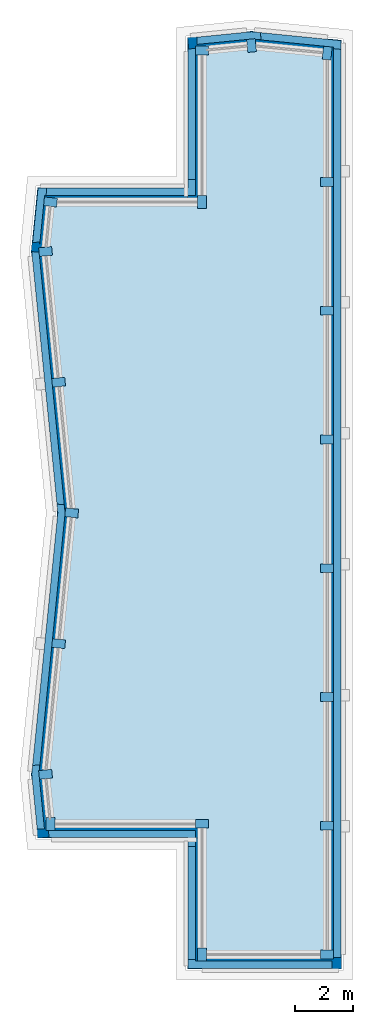
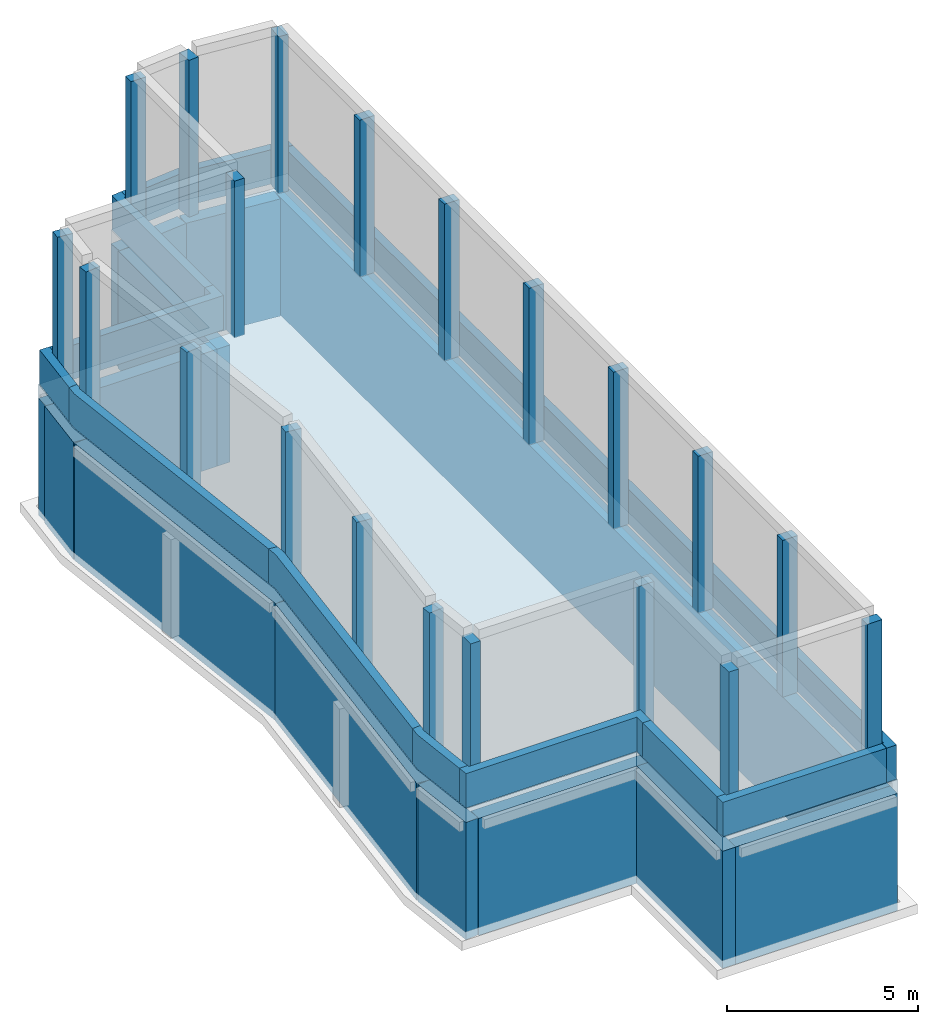
# One storey, part 1 of 2: 24 walls, 20 plates, 1 slab.
"""IFC4 building model written with IfcOpenShell, lengths in metres."""

from ifc_helpers import new_model, si_unit, direction, frame, frame_2d, origin, place, context, subcontext, project, spatial, polyline, rectangle, outline, extrude, material, layer, layer_set, type_object, element, save


model = new_model("IFC4")

# Units and contexts
model_context = context("Model", 3, precision=1e-05, world=origin(), true_north=direction((0.0, 1.0)))
body_context = subcontext(model_context, "Body", "Model", "MODEL_VIEW")
ifc_project = project(units=[si_unit("LENGTHUNIT", "METRE"), si_unit("AREAUNIT", "SQUARE_METRE"), si_unit("VOLUMEUNIT", "CUBIC_METRE"), si_unit("PLANEANGLEUNIT", "RADIAN"), si_unit("MASSUNIT", "GRAM", prefix="KILO")], contexts=[model_context])

# Site, building, storey
site_placement = place(None, origin())
site = spatial("IfcSite", under=ifc_project, at=site_placement, CompositionType="ELEMENT")
building_placement = place(site_placement, origin())
building = spatial("IfcBuilding", under=site, at=building_placement, Name="Brondeck Convention Tower", CompositionType="ELEMENT")
storey_placement = place(building_placement, frame((0.0, 0.0, 315.300048828125)))
storey = spatial("IfcBuildingStorey", under=building, at=storey_placement, Name="ROOF 2", CompositionType="ELEMENT", Elevation=315.300048828125)

# Plates
ifc_material_1 = material(Name="Precast concrete C50/60", Category="concrete")
ifc_layer_1 = layer(ifc_material_1, 0.300048828125)
ifc_layer_set_1 = layer_set([ifc_layer_1], Name="Crown fin FIN-C 300 x 450 Precast concrete C50/60")
plate_type = type_object("IfcPlateType", Name="Crown fin FIN-C 300 x 450 Precast concrete C50/60", PredefinedType="USERDEFINED", material=ifc_layer_set_1)
plate_1_placement = place(storey_placement, frame((0.0, 0.0, 4.179931640625)))
element("IfcPlate", 1, at=plate_1_placement, inside=storey, type_object=plate_type, Name="ENV-CF-K1-T2-00-0", ObjectType="FIN-C", PredefinedType="USERDEFINED", context=body_context, shape_type="SweptSolid", body=[
    extrude(outline(polyline([(7.445068359375, 30.02001953125), (7.14501953125, 30.02001953125), (7.14501953125, 29.570068359375), (7.445068359375, 29.570068359375), (7.445068359375, 30.02001953125)])), origin(), (0.0, 0.0, 1.0), 5.02001953125),
])
plate_2_placement = place(storey_placement, frame((0.0, 0.0, 4.179931640625)))
element("IfcPlate", 2, at=plate_2_placement, inside=storey, type_object=plate_type, Name="ENV-CF-K1-T2-01-0", ObjectType="FIN-C", PredefinedType="USERDEFINED", context=body_context, shape_type="SweptSolid", body=[
    extrude(outline(polyline([(11.3798828125, 29.945068359375), (11.3798828125, 29.64501953125), (11.830078125, 29.64501953125), (11.830078125, 29.945068359375), (11.3798828125, 29.945068359375)])), origin(), (0.0, 0.0, 1.0), 5.02001953125),
])
plate_3_placement = place(storey_placement, frame((0.0, 0.0, 4.179931640625)))
element("IfcPlate", 3, at=plate_3_placement, inside=storey, type_object=plate_type, Name="ENV-CF-K1-T2-01-1", ObjectType="FIN-C", PredefinedType="USERDEFINED", context=body_context, shape_type="SweptSolid", body=[
    extrude(outline(polyline([(11.3798828125, 34.378662109375), (11.3798828125, 34.07861328125), (11.830078125, 34.07861328125), (11.830078125, 34.378662109375), (11.3798828125, 34.378662109375)])), origin(), (0.0, 0.0, 1.0), 5.02001953125),
])
plate_4_placement = place(storey_placement, frame((0.0, 0.0, 4.179931640625)))
element("IfcPlate", 4, at=plate_4_placement, inside=storey, type_object=plate_type, Name="ENV-CF-K1-T2-01-2", ObjectType="FIN-C", PredefinedType="USERDEFINED", context=body_context, shape_type="SweptSolid", body=[
    extrude(outline(polyline([(11.3798828125, 38.812255859375), (11.3798828125, 38.51220703125), (11.830078125, 38.51220703125), (11.830078125, 38.812255859375), (11.3798828125, 38.812255859375)])), origin(), (0.0, 0.0, 1.0), 5.02001953125),
])
plate_5_placement = place(storey_placement, frame((0.0, 0.0, 4.179931640625)))
element("IfcPlate", 5, at=plate_5_placement, inside=storey, type_object=plate_type, Name="ENV-CF-K1-T2-01-3", ObjectType="FIN-C", PredefinedType="USERDEFINED", context=body_context, shape_type="SweptSolid", body=[
    extrude(outline(polyline([(11.3798828125, 43.24609375), (11.3798828125, 42.946044921875), (11.830078125, 42.946044921875), (11.830078125, 43.24609375), (11.3798828125, 43.24609375)])), origin(), (0.0, 0.0, 1.0), 5.02001953125),
])
plate_6_placement = place(storey_placement, frame((0.0, 0.0, 4.179931640625)))
element("IfcPlate", 6, at=plate_6_placement, inside=storey, type_object=plate_type, Name="ENV-CF-K1-T2-01-4", ObjectType="FIN-C", PredefinedType="USERDEFINED", context=body_context, shape_type="SweptSolid", body=[
    extrude(outline(polyline([(11.3798828125, 47.6796875), (11.3798828125, 47.379638671875), (11.830078125, 47.379638671875), (11.830078125, 47.6796875), (11.3798828125, 47.6796875)])), origin(), (0.0, 0.0, 1.0), 5.02001953125),
])
plate_7_placement = place(storey_placement, frame((0.0, 0.0, 4.179931640625)))
element("IfcPlate", 7, at=plate_7_placement, inside=storey, type_object=plate_type, Name="ENV-CF-K1-T2-01-5", ObjectType="FIN-C", PredefinedType="USERDEFINED", context=body_context, shape_type="SweptSolid", body=[
    extrude(outline(polyline([(11.3798828125, 52.11328125), (11.3798828125, 51.813232421875), (11.830078125, 51.813232421875), (11.830078125, 52.11328125), (11.3798828125, 52.11328125)])), origin(), (0.0, 0.0, 1.0), 5.02001953125),
])
plate_8_placement = place(storey_placement, frame((0.0, 0.0, 4.179931640625)))
element("IfcPlate", 8, at=plate_8_placement, inside=storey, type_object=plate_type, Name="ENV-CF-K1-T2-01-6", ObjectType="FIN-C", PredefinedType="USERDEFINED", context=body_context, shape_type="SweptSolid", body=[
    extrude(outline(polyline([(11.3798828125, 56.546875), (11.3798828125, 56.246826171875), (11.830078125, 56.246826171875), (11.830078125, 56.546875), (11.3798828125, 56.546875)])), origin(), (0.0, 0.0, 1.0), 5.02001953125),
])
plate_9_placement = place(storey_placement, frame((0.0, 0.0, 4.179931640625)))
element("IfcPlate", 9, at=plate_9_placement, inside=storey, type_object=plate_type, Name="ENV-CF-K1-T2-02-0", ObjectType="FIN-C", PredefinedType="USERDEFINED", context=body_context, shape_type="SweptSolid", body=[
    extrude(outline(polyline([(11.433349609375, 60.62158203125), (11.73193359375, 60.591796875), (11.776611328125, 61.03955078125), (11.47802734375, 61.0693359375), (11.433349609375, 60.62158203125)])), origin(), (0.0, 0.0, 1.0), 5.02001953125),
])
plate_10_placement = place(storey_placement, frame((0.0, 0.0, 4.179931640625)))
element("IfcPlate", 10, at=plate_10_placement, inside=storey, type_object=plate_type, Name="ENV-CF-K1-T2-03-0", ObjectType="FIN-C", PredefinedType="USERDEFINED", context=body_context, shape_type="SweptSolid", body=[
    extrude(outline(polyline([(8.873046875, 60.852294921875), (9.171630859375, 60.882080078125), (9.126953125, 61.329833984375), (8.828369140625, 61.300048828125), (8.873046875, 60.852294921875)])), origin(), (0.0, 0.0, 1.0), 5.02001953125),
])
plate_11_placement = place(storey_placement, frame((0.0, 0.0, 4.179931640625)))
element("IfcPlate", 11, at=plate_11_placement, inside=storey, type_object=plate_type, Name="ENV-CF-K1-T2-04-0", ObjectType="FIN-C", PredefinedType="USERDEFINED", context=body_context, shape_type="SweptSolid", body=[
    extrude(outline(polyline([(7.52001953125, 60.7705078125), (7.52001953125, 61.070556640625), (7.070068359375, 61.070556640625), (7.070068359375, 60.7705078125), (7.52001953125, 60.7705078125)])), origin(), (0.0, 0.0, 1.0), 5.02001953125),
])
plate_12_placement = place(storey_placement, frame((0.0, 0.0, 4.179931640625)))
element("IfcPlate", 12, at=plate_12_placement, inside=storey, type_object=plate_type, Name="ENV-CF-K1-T2-05-0", ObjectType="FIN-C", PredefinedType="USERDEFINED", context=body_context, shape_type="SweptSolid", body=[
    extrude(outline(polyline([(7.14501953125, 55.47998046875), (7.445068359375, 55.47998046875), (7.445068359375, 55.929931640625), (7.14501953125, 55.929931640625), (7.14501953125, 55.47998046875)])), origin(), (0.0, 0.0, 1.0), 5.02001953125),
])
plate_13_placement = place(storey_placement, frame((0.0, 0.0, 4.179931640625)))
element("IfcPlate", 13, at=plate_13_placement, inside=storey, type_object=plate_type, Name="ENV-CF-K1-T2-06-0", ObjectType="FIN-C", PredefinedType="USERDEFINED", context=body_context, shape_type="SweptSolid", body=[
    extrude(outline(polyline([(2.288330078125, 55.533447265625), (2.318115234375, 55.831787109375), (1.87060546875, 55.876708984375), (1.840576171875, 55.578125), (2.288330078125, 55.533447265625)])), origin(), (0.0, 0.0, 1.0), 5.02001953125),
])
plate_14_placement = place(storey_placement, frame((0.0, 0.0, 4.179931640625)))
element("IfcPlate", 14, at=plate_14_placement, inside=storey, type_object=plate_type, Name="ENV-CF-K1-T2-07-0", ObjectType="FIN-C", PredefinedType="USERDEFINED", context=body_context, shape_type="SweptSolid", body=[
    extrude(outline(polyline([(2.147705078125, 53.873046875), (2.117919921875, 54.171630859375), (1.670166015625, 54.126953125), (1.699951171875, 53.828369140625), (2.147705078125, 53.873046875)])), origin(), (0.0, 0.0, 1.0), 5.02001953125),
])
plate_15_placement = place(storey_placement, frame((0.0, 0.0, 4.179931640625)))
element("IfcPlate", 15, at=plate_15_placement, inside=storey, type_object=plate_type, Name="ENV-CF-K1-T2-07-1", ObjectType="FIN-C", PredefinedType="USERDEFINED", context=body_context, shape_type="SweptSolid", body=[
    extrude(outline(polyline([(2.59765625, 49.373046875), (2.56787109375, 49.671630859375), (2.1201171875, 49.626953125), (2.14990234375, 49.328369140625), (2.59765625, 49.373046875)])), origin(), (0.0, 0.0, 1.0), 5.02001953125),
])
plate_16_placement = place(storey_placement, frame((0.0, 0.0, 4.179931640625)))
element("IfcPlate", 16, at=plate_16_placement, inside=storey, type_object=plate_type, Name="ENV-CF-K1-T2-08-0", ObjectType="FIN-C", PredefinedType="USERDEFINED", context=body_context, shape_type="SweptSolid", body=[
    extrude(outline(polyline([(3.017822265625, 44.828369140625), (3.047607421875, 45.126953125), (2.60009765625, 45.171630859375), (2.570068359375, 44.873046875), (3.017822265625, 44.828369140625)])), origin(), (0.0, 0.0, 1.0), 5.02001953125),
])
plate_17_placement = place(storey_placement, frame((0.0, 0.0, 4.179931640625)))
element("IfcPlate", 17, at=plate_17_placement, inside=storey, type_object=plate_type, Name="ENV-CF-K1-T2-08-1", ObjectType="FIN-C", PredefinedType="USERDEFINED", context=body_context, shape_type="SweptSolid", body=[
    extrude(outline(polyline([(2.56787109375, 40.328369140625), (2.59765625, 40.626953125), (2.14990234375, 40.671630859375), (2.1201171875, 40.373046875), (2.56787109375, 40.328369140625)])), origin(), (0.0, 0.0, 1.0), 5.02001953125),
])
plate_18_placement = place(storey_placement, frame((0.0, 0.0, 4.179931640625)))
element("IfcPlate", 18, at=plate_18_placement, inside=storey, type_object=plate_type, Name="ENV-CF-K1-T2-09-0", ObjectType="FIN-C", PredefinedType="USERDEFINED", context=body_context, shape_type="SweptSolid", body=[
    extrude(outline(polyline([(2.147705078125, 35.873046875), (2.117919921875, 36.171630859375), (1.670166015625, 36.126953125), (1.699951171875, 35.828369140625), (2.147705078125, 35.873046875)])), origin(), (0.0, 0.0, 1.0), 5.02001953125),
])
plate_19_placement = place(storey_placement, frame((0.0, 0.0, 4.179931640625)))
element("IfcPlate", 19, at=plate_19_placement, inside=storey, type_object=plate_type, Name="ENV-CF-K1-T2-10-0", ObjectType="FIN-C", PredefinedType="USERDEFINED", context=body_context, shape_type="SweptSolid", body=[
    extrude(outline(polyline([(2.2294921875, 34.52001953125), (1.929443359375, 34.52001953125), (1.929443359375, 34.070068359375), (2.2294921875, 34.070068359375), (2.2294921875, 34.52001953125)])), origin(), (0.0, 0.0, 1.0), 5.02001953125),
])
plate_20_placement = place(storey_placement, frame((0.0, 0.0, 4.179931640625)))
element("IfcPlate", 20, at=plate_20_placement, inside=storey, type_object=plate_type, Name="ENV-CF-K1-T2-11-0", ObjectType="FIN-C", PredefinedType="USERDEFINED", context=body_context, shape_type="SweptSolid", body=[
    extrude(outline(polyline([(7.52001953125, 34.14501953125), (7.52001953125, 34.445068359375), (7.070068359375, 34.445068359375), (7.070068359375, 34.14501953125), (7.52001953125, 34.14501953125)])), origin(), (0.0, 0.0, 1.0), 5.02001953125),
])

# Slab
ifc_material_2 = material(Name="Concrete C35/45", Category="concrete")
ifc_layer_2 = layer(ifc_material_2, 0.449951171875)
ifc_layer_set_2 = layer_set([ifc_layer_2], Name="Crown tier slab 450")
slab_type = type_object("IfcSlabType", Name="Crown tier slab 450", PredefinedType="ROOF", material=ifc_layer_set_2)
slab_placement = place(storey_placement, frame((0.0, 0.0, 3.75)))
element("IfcSlab", 21, at=slab_placement, inside=storey, type_object=slab_type, Name="ENV-CT-K1-T2-SL", PredefinedType="ROOF", context=body_context, shape_type="SweptSolid", body=[
    extrude(outline(polyline([(6.800048828125, 29.300048828125), (12.10009765625, 29.300048828125), (12.10009765625, 61.278564453125), (9.0, 61.58837890625), (6.800048828125, 61.368408203125), (6.800048828125, 56.199951171875), (1.631591796875, 56.199951171875), (1.41162109375, 54.0), (2.3115234375, 45.0), (1.41162109375, 36.0), (1.631591796875, 33.800048828125), (6.800048828125, 33.800048828125), (6.800048828125, 29.300048828125)])), origin(), (0.0, 0.0, 1.0), 0.449951171875),
])

# Walls
ifc_material_3 = material(Name="Precast concrete C50/60 bronze finish", Category="concrete")
ifc_layer_3 = layer(ifc_material_3, 0.39990234375)
ifc_layer_set_3 = layer_set([ifc_layer_3], Name="Crown tier wall, precast concrete C50/60")
wall_type_1 = type_object("IfcWallType", Name="Crown tier wall, precast concrete C50/60", PredefinedType="SOLIDWALL", material=ifc_layer_set_3)
wall_1_placement = place(storey_placement, frame((12.10009765625, 29.5, 0.0), z_axis=(0.0, 0.0, 1.0), x_axis=(-1.0, 0.0, 0.0)))
element("IfcWall", 22, at=wall_1_placement, inside=storey, type_object=wall_type_1, Name="ENV-CT-K1-T2-W01", PredefinedType="SOLIDWALL", context=body_context, shape_type="SweptSolid", body=[
    extrude(rectangle(XDim=4.900146484375, YDim=0.39990234375, at=frame_2d((2.4501953125, 0.0))), origin(), (0.0, 0.0, 1.0), 3.75),
])
wall_2_placement = place(storey_placement, frame((11.89990234375, 61.278564453125, 0.0), z_axis=(0.0, 0.0, 1.0), x_axis=(0.0, -1.0, 0.0)))
element("IfcWall", 23, at=wall_2_placement, inside=storey, type_object=wall_type_1, Name="ENV-CT-K1-T2-W02", PredefinedType="SOLIDWALL", context=body_context, shape_type="SweptSolid", body=[
    extrude(rectangle(XDim=31.57861328125, YDim=0.39990234375, at=frame_2d((15.789306640625, 0.0))), origin(), (0.0, 0.0, 1.0), 3.75),
])
wall_3_placement = place(storey_placement, frame((8.97998046875, 61.389404296875, 0.0), z_axis=(0.0, 0.0, 1.0), x_axis=(0.99503807605, -0.099494860225, 0.0)))
element("IfcWall", 24, at=wall_3_placement, inside=storey, type_object=wall_type_1, Name="ENV-CT-K1-T2-W03", PredefinedType="SOLIDWALL", context=body_context, shape_type="SweptSolid", body=[
    extrude(rectangle(XDim=2.728515625, YDim=0.39990234375, at=frame_2d((1.3642578125, 0.0))), origin(), (0.0, 0.0, 1.0), 3.75),
])
wall_4_placement = place(storey_placement, frame((6.81982421875, 61.16943359375, 0.0), z_axis=(0.0, 0.0, 1.0), x_axis=(0.995036065378, 0.099514966694, 0.0)))
element("IfcWall", 25, at=wall_4_placement, inside=storey, type_object=wall_type_1, Name="ENV-CT-K1-T2-W04", PredefinedType="SOLIDWALL", context=body_context, shape_type="SweptSolid", body=[
    extrude(rectangle(XDim=2.149169921875, YDim=0.39990234375, at=frame_2d((1.07470703125, 0.0))), origin(), (0.0, 0.0, 1.0), 3.75),
])
wall_5_placement = place(storey_placement, frame((7.0, 55.800048828125, 0.0), z_axis=(0.0, 0.0, 1.0), x_axis=(0.0, 1.0, 0.0)))
element("IfcWall", 26, at=wall_5_placement, inside=storey, type_object=wall_type_1, Name="ENV-CT-K1-T2-W05", PredefinedType="SOLIDWALL", context=body_context, shape_type="SweptSolid", body=[
    extrude(rectangle(XDim=5.181396484375, YDim=0.39990234375, at=frame_2d((2.5908203125, 0.0))), origin(), (0.0, 0.0, 1.0), 3.75),
])
wall_6_placement = place(storey_placement, frame((1.631591796875, 56.0, 0.0), z_axis=(0.0, 0.0, 1.0), x_axis=(1.0, 0.0, 0.0)))
element("IfcWall", 27, at=wall_6_placement, inside=storey, type_object=wall_type_1, Name="ENV-CT-K1-T2-W06", PredefinedType="SOLIDWALL", context=body_context, shape_type="SweptSolid", body=[
    extrude(rectangle(XDim=5.16845703125, YDim=0.39990234375, at=frame_2d((2.584228515625, 0.0))), origin(), (0.0, 0.0, 1.0), 3.75),
])
wall_7_placement = place(storey_placement, frame((1.610595703125, 53.97998046875, 0.0), z_axis=(0.0, 0.0, 1.0), x_axis=(0.099450708894, 0.995042489797, 0.0)))
element("IfcWall", 28, at=wall_7_placement, inside=storey, type_object=wall_type_1, Name="ENV-CT-K1-T2-W07", PredefinedType="SOLIDWALL", context=body_context, shape_type="SweptSolid", body=[
    extrude(rectangle(XDim=1.823974609375, YDim=0.39990234375, at=frame_2d((0.912109375, 0.0))), origin(), (0.0, 0.0, 1.0), 3.75),
])
for number, where, z_axis, x_axis, name in (
    (29, (2.514404296875, 44.97998046875, 0.0), (0.0, 0.0, 1.0), (-0.099490324224, 0.995038529599, 0.0), "ENV-CT-K1-T2-W08"),
    (30, (1.610595703125, 35.97998046875, 0.0), (0.0, 0.0, 1.0), (0.099490324224, 0.995038529599, 0.0), "ENV-CT-K1-T2-W09"),
):
    element("IfcWall", number, at=place(storey_placement, frame(where, z_axis=z_axis, x_axis=x_axis)), inside=storey, type_object=wall_type_1, Name=name, PredefinedType="SOLIDWALL", context=body_context, shape_type="SweptSolid", body=[
        extrude(rectangle(XDim=9.02294921875, YDim=0.39990234375, at=frame_2d((4.511474609375, 0.0))), origin(), (0.0, 0.0, 1.0), 3.75),
    ])
wall_8_placement = place(storey_placement, frame((1.83056640625, 33.81982421875, 0.0), z_axis=(0.0, 0.0, 1.0), x_axis=(-0.099514966694, 0.995036065378, 0.0)))
element("IfcWall", 31, at=wall_8_placement, inside=storey, type_object=wall_type_1, Name="ENV-CT-K1-T2-W10", PredefinedType="SOLIDWALL", context=body_context, shape_type="SweptSolid", body=[
    extrude(rectangle(XDim=2.149169921875, YDim=0.39990234375, at=frame_2d((1.07470703125, 0.0))), origin(), (0.0, 0.0, 1.0), 3.75),
])
wall_9_placement = place(storey_placement, frame((7.199951171875, 34.0, 0.0), z_axis=(0.0, 0.0, 1.0), x_axis=(-1.0, 0.0, 0.0)))
element("IfcWall", 32, at=wall_9_placement, inside=storey, type_object=wall_type_1, Name="ENV-CT-K1-T2-W11", PredefinedType="SOLIDWALL", context=body_context, shape_type="SweptSolid", body=[
    extrude(rectangle(XDim=5.181396484375, YDim=0.39990234375, at=frame_2d((2.5908203125, 0.0))), origin(), (0.0, 0.0, 1.0), 3.75),
])
wall_10_placement = place(storey_placement, frame((7.0, 29.300048828125, 0.0), z_axis=(0.0, 0.0, 1.0), x_axis=(0.0, 1.0, 0.0)))
element("IfcWall", 33, at=wall_10_placement, inside=storey, type_object=wall_type_1, Name="ENV-CT-K1-T2-W12", PredefinedType="SOLIDWALL", context=body_context, shape_type="SweptSolid", body=[
    extrude(rectangle(XDim=4.501953125, YDim=0.39990234375, at=frame_2d((2.2509765625, 0.0))), origin(), (0.0, 0.0, 1.0), 3.75),
])
ifc_layer_4 = layer(ifc_material_1, 0.25)
ifc_layer_set_4 = layer_set([ifc_layer_4], Name="Roof parapet, precast concrete C50/60")
wall_type_2 = type_object("IfcWallType", Name="Roof parapet, precast concrete C50/60", PredefinedType="PARAPET", material=ifc_layer_set_4)
wall_11_placement = place(storey_placement, frame((0.0, 0.0, 4.199951171875)))
element("IfcWall", 34, at=wall_11_placement, inside=storey, type_object=wall_type_2, Name="ENV-CT-K1-T2-PA01", PredefinedType="PARAPET", context=body_context, shape_type="SweptSolid", body=[
    extrude(outline(polyline([(1.870849609375, 34.1201171875), (1.61962890625, 34.1201171875), (1.649658203125, 33.820068359375), (6.820068359375, 33.820068359375), (6.820068359375, 33.52001953125), (7.070068359375, 33.52001953125), (7.070068359375, 34.070068359375), (1.875732421875, 34.070068359375), (1.870849609375, 34.1201171875)])), origin(), (0.0, 0.0, 1.0), 1.10009765625),
])
wall_12_placement = place(storey_placement, frame((0.0, 0.0, 4.199951171875)))
element("IfcWall", 35, at=wall_12_placement, inside=storey, type_object=wall_type_2, Name="ENV-CT-K1-T2-PA02", PredefinedType="PARAPET", context=body_context, shape_type="SweptSolid", body=[
    extrude(outline(polyline([(1.7080078125, 36.251220703125), (1.7001953125, 36.328369140625), (1.4619140625, 36.304443359375), (1.431640625, 36.0), (1.619384765625, 34.12109375), (1.619384765625, 34.12109375), (1.61962890625, 34.12109375), (1.87060546875, 34.12109375), (1.682861328125, 36.0), (1.7080078125, 36.251220703125)])), origin(), (0.0, 0.0, 1.0), 1.10009765625),
])
wall_13_placement = place(storey_placement, frame((0.0, 0.0, 4.199951171875)))
element("IfcWall", 36, at=wall_13_placement, inside=storey, type_object=wall_type_2, Name="ENV-CT-K1-T2-PA03", PredefinedType="PARAPET", context=body_context, shape_type="SweptSolid", body=[
    extrude(outline(polyline([(2.582763671875, 45.0), (2.554931640625, 45.279296875), (2.301025390625, 45.304443359375), (2.33154296875, 45.0), (1.462158203125, 36.3056640625), (1.7001953125, 36.329345703125), (1.7001953125, 36.329345703125), (1.7001953125, 36.329345703125), (1.700439453125, 36.329345703125), (1.700439453125, 36.329345703125), (1.70068359375, 36.329345703125), (1.70068359375, 36.3291015625), (1.70068359375, 36.3291015625), (1.700927734375, 36.3291015625), (1.700927734375, 36.3291015625), (1.700927734375, 36.3291015625), (1.701171875, 36.328857421875), (1.701171875, 36.328857421875), (1.701171875, 36.32861328125), (1.701171875, 36.32861328125), (1.701171875, 36.32861328125), (1.701171875, 36.32861328125), (1.70849609375, 36.25634765625), (2.582763671875, 45.0)])), origin(), (0.0, 0.0, 1.0), 1.10009765625),
])
wall_14_placement = place(storey_placement, frame((0.0, 0.0, 4.199951171875)))
element("IfcWall", 37, at=wall_14_placement, inside=storey, type_object=wall_type_2, Name="ENV-CT-K1-T2-PA04", PredefinedType="PARAPET", context=body_context, shape_type="SweptSolid", body=[
    extrude(outline(polyline([(1.7080078125, 54.251220703125), (1.7001953125, 54.328369140625), (1.4619140625, 54.304443359375), (1.431640625, 54.0), (2.301025390625, 45.305419921875), (2.301025390625, 45.305419921875), (2.301025390625, 45.305419921875), (2.30126953125, 45.305419921875), (2.5546875, 45.2802734375), (1.682861328125, 54.0), (1.7080078125, 54.251220703125)])), origin(), (0.0, 0.0, 1.0), 1.10009765625),
])
wall_15_placement = place(storey_placement, frame((0.0, 0.0, 4.199951171875)))
element("IfcWall", 38, at=wall_15_placement, inside=storey, type_object=wall_type_2, Name="ENV-CT-K1-T2-PA05", PredefinedType="PARAPET", context=body_context, shape_type="SweptSolid", body=[
    extrude(outline(polyline([(1.875732421875, 55.929931640625), (1.926025390625, 55.929931640625), (1.951171875, 56.179931640625), (1.649658203125, 56.179931640625), (1.462158203125, 54.3056640625), (1.7001953125, 54.329345703125), (1.7001953125, 54.329345703125), (1.7001953125, 54.329345703125), (1.700439453125, 54.329345703125), (1.700439453125, 54.329345703125), (1.70068359375, 54.329345703125), (1.70068359375, 54.3291015625), (1.70068359375, 54.3291015625), (1.700927734375, 54.3291015625), (1.700927734375, 54.3291015625), (1.700927734375, 54.3291015625), (1.701171875, 54.328857421875), (1.701171875, 54.328857421875), (1.701171875, 54.32861328125), (1.701171875, 54.32861328125), (1.701171875, 54.32861328125), (1.701171875, 54.32861328125), (1.70849609375, 54.25634765625), (1.875732421875, 55.929931640625)])), origin(), (0.0, 0.0, 1.0), 1.10009765625),
])
wall_16_placement = place(storey_placement, frame((0.0, 0.0, 4.199951171875)))
element("IfcWall", 39, at=wall_16_placement, inside=storey, type_object=wall_type_2, Name="ENV-CT-K1-T2-PA06", PredefinedType="PARAPET", context=body_context, shape_type="SweptSolid", body=[
    extrude(outline(polyline([(7.070068359375, 55.929931640625), (7.070068359375, 56.47998046875), (6.820068359375, 56.47998046875), (6.820068359375, 56.179931640625), (1.9521484375, 56.179931640625), (1.9521484375, 56.179931640625), (1.9521484375, 56.179931640625), (1.927001953125, 55.929931640625), (7.070068359375, 55.929931640625)])), origin(), (0.0, 0.0, 1.0), 1.10009765625),
])
wall_17_placement = place(storey_placement, frame((0.0, 0.0, 4.199951171875)))
element("IfcWall", 40, at=wall_17_placement, inside=storey, type_object=wall_type_2, Name="ENV-CT-K1-T2-PA07", PredefinedType="PARAPET", context=body_context, shape_type="SweptSolid", body=[
    extrude(outline(polyline([(7.070068359375, 61.124267578125), (7.1201171875, 61.129150390625), (7.1201171875, 61.38037109375), (6.820068359375, 61.350341796875), (6.820068359375, 56.48095703125), (7.070068359375, 56.48095703125), (7.070068359375, 61.124267578125)])), origin(), (0.0, 0.0, 1.0), 1.10009765625),
])
wall_18_placement = place(storey_placement, frame((0.0, 0.0, 4.199951171875)))
element("IfcWall", 41, at=wall_18_placement, inside=storey, type_object=wall_type_2, Name="ENV-CT-K1-T2-PA08", PredefinedType="PARAPET", context=body_context, shape_type="SweptSolid", body=[
    extrude(outline(polyline([(9.251220703125, 61.2919921875), (9.328369140625, 61.2998046875), (9.304443359375, 61.5380859375), (9.0, 61.568359375), (7.12109375, 61.380615234375), (7.12109375, 61.380615234375), (7.12109375, 61.38037109375), (7.12109375, 61.12939453125), (9.0, 61.317138671875), (9.251220703125, 61.2919921875)])), origin(), (0.0, 0.0, 1.0), 1.10009765625),
])
wall_19_placement = place(storey_placement, frame((0.0, 0.0, 4.199951171875)))
element("IfcWall", 42, at=wall_19_placement, inside=storey, type_object=wall_type_2, Name="ENV-CT-K1-T2-PA09", PredefinedType="PARAPET", context=body_context, shape_type="SweptSolid", body=[
    extrude(outline(polyline([(11.830078125, 61.0341796875), (11.830078125, 60.98388671875), (12.080078125, 60.958984375), (12.080078125, 61.260498046875), (9.3056640625, 61.537841796875), (9.329345703125, 61.2998046875), (9.329345703125, 61.2998046875), (9.329345703125, 61.2998046875), (9.329345703125, 61.299560546875), (9.329345703125, 61.299560546875), (9.329345703125, 61.29931640625), (9.3291015625, 61.29931640625), (9.3291015625, 61.29931640625), (9.3291015625, 61.299072265625), (9.3291015625, 61.299072265625), (9.3291015625, 61.299072265625), (9.328857421875, 61.298828125), (9.328857421875, 61.298828125), (9.32861328125, 61.298828125), (9.32861328125, 61.298828125), (9.32861328125, 61.298828125), (9.32861328125, 61.298828125), (9.25634765625, 61.29150390625), (11.830078125, 61.0341796875)])), origin(), (0.0, 0.0, 1.0), 1.10009765625),
])
wall_20_placement = place(storey_placement, frame((0.0, 0.0, 4.199951171875)))
element("IfcWall", 43, at=wall_20_placement, inside=storey, type_object=wall_type_2, Name="ENV-CT-K1-T2-PA10", PredefinedType="PARAPET", context=body_context, shape_type="SweptSolid", body=[
    extrude(outline(polyline([(11.830078125, 29.570068359375), (11.780029296875, 29.570068359375), (11.780029296875, 29.320068359375), (12.080078125, 29.320068359375), (12.080078125, 60.9580078125), (12.080078125, 60.9580078125), (12.079833984375, 60.9580078125), (11.830078125, 60.98291015625), (11.830078125, 29.570068359375)])), origin(), (0.0, 0.0, 1.0), 1.10009765625),
])
wall_21_placement = place(storey_placement, frame((0.0, 0.0, 4.199951171875)))
element("IfcWall", 44, at=wall_21_placement, inside=storey, type_object=wall_type_2, Name="ENV-CT-K1-T2-PA11", PredefinedType="PARAPET", context=body_context, shape_type="SweptSolid", body=[
    extrude(outline(polyline([(7.070068359375, 29.570068359375), (7.070068359375, 29.6201171875), (6.820068359375, 29.6201171875), (6.820068359375, 29.320068359375), (11.779052734375, 29.320068359375), (11.779052734375, 29.320068359375), (11.779052734375, 29.570068359375), (7.070068359375, 29.570068359375)])), origin(), (0.0, 0.0, 1.0), 1.10009765625),
])
wall_22_placement = place(storey_placement, frame((0.0, 0.0, 4.199951171875)))
element("IfcWall", 45, at=wall_22_placement, inside=storey, type_object=wall_type_2, Name="ENV-CT-K1-T2-PA12", PredefinedType="PARAPET", context=body_context, shape_type="SweptSolid", body=[
    extrude(outline(polyline([(7.070068359375, 29.62109375), (7.070068359375, 33.51904296875), (6.820068359375, 33.51904296875), (6.820068359375, 29.62109375), (7.070068359375, 29.62109375)])), origin(), (0.0, 0.0, 1.0), 1.10009765625),
])

save(model, "model.ifc")
